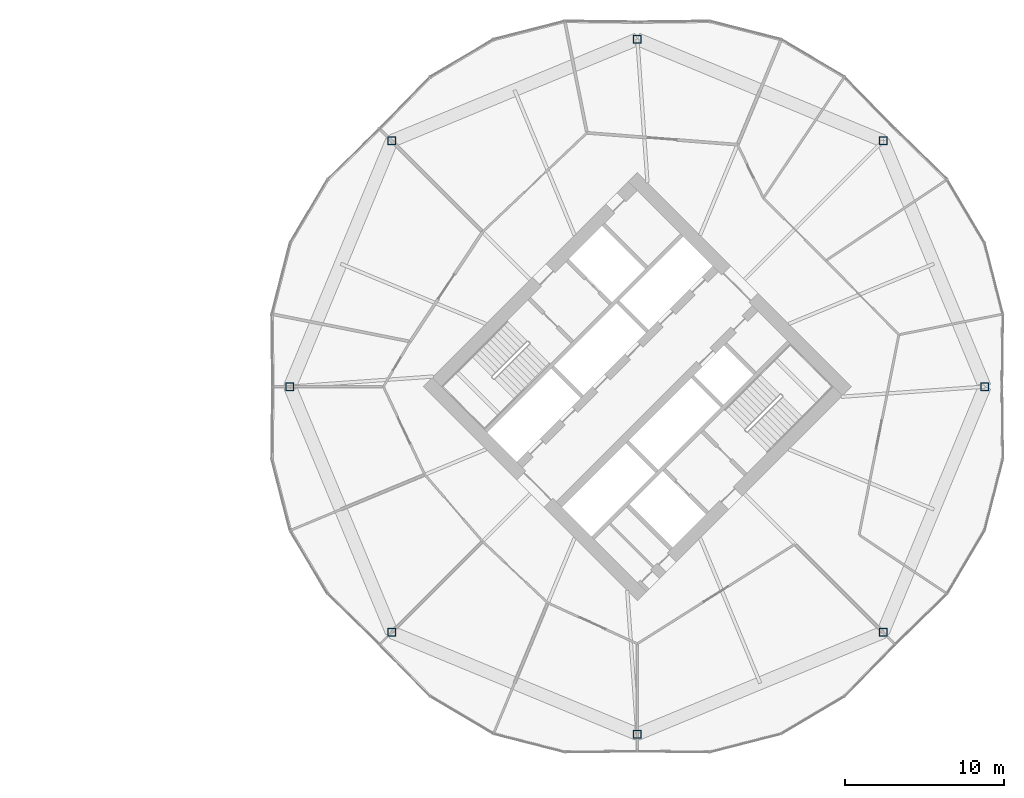
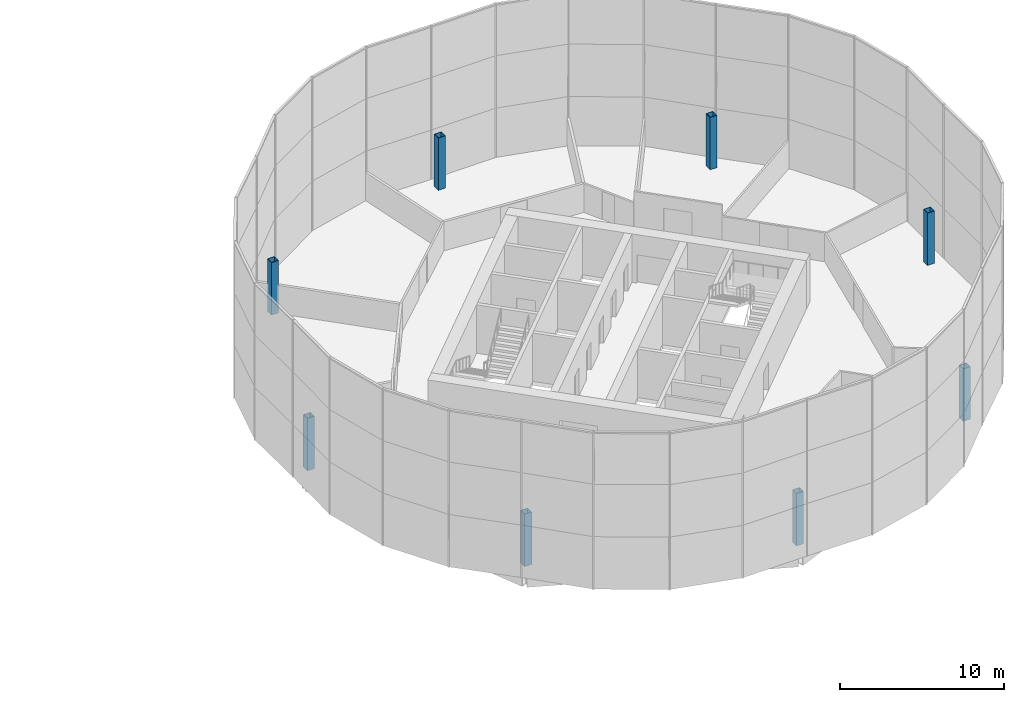
# One storey, part 2 of 25: 8 columns.
"""IFC4 building model written with IfcOpenShell, lengths in metres."""

from ifc_helpers import new_model, si_unit, direction, frame, origin, origin_2d, place, context, subcontext, project, spatial, hollow_rectangle, extrude, material, material_profile, profile_set, type_object, element, save


model = new_model("IFC4")

# Units and contexts
model_context = context("Model", 3, precision=1e-05, world=origin(), true_north=direction((0.0, 1.0)))
body_context = subcontext(model_context, "Body", "Model", "MODEL_VIEW")
ifc_project = project(units=[si_unit("LENGTHUNIT", "METRE"), si_unit("AREAUNIT", "SQUARE_METRE"), si_unit("VOLUMEUNIT", "CUBIC_METRE"), si_unit("PLANEANGLEUNIT", "RADIAN"), si_unit("MASSUNIT", "GRAM", prefix="KILO")], contexts=[model_context])

# Site, building, storey
site_placement = place(None, origin())
site = spatial("IfcSite", under=ifc_project, at=site_placement, CompositionType="ELEMENT")
building_placement = place(site_placement, origin())
building = spatial("IfcBuilding", under=site, at=building_placement, Name="Ogive Gate Towers", CompositionType="ELEMENT")
storey_placement = place(building_placement, frame((0.0, 0.0, 44.10009765625)))
storey = spatial("IfcBuildingStorey", under=building, at=storey_placement, Name="L09", CompositionType="ELEMENT", Elevation=44.10009765625)

# Columns
ifc_material = material(Name="Steel SM460", Category="steel")
ifc_material_profile = material_profile(ifc_material, hollow_rectangle(XDim=0.5, YDim=0.5, WallThickness=0.030029296875, at=origin_2d()), Name="BX 500x500x30")
ifc_profile_set = profile_set([ifc_material_profile], Name="Steel SM460")
column_type = type_object("IfcColumnType", Name="Perimeter post BX 500x500x30", PredefinedType="COLUMN", material=ifc_profile_set)
for number, where, z_axis, x_axis, name in (
    (1, (57.81005859375, 0.0, 0.0), (0.0, 0.0, 1.0), (1.0, 0.0, 0.0), "T2/L09/SCL001"),
    (2, (51.422119140625, 15.422119140625, 0.0), (0.0, 0.0, 1.0), (1.0, 0.0, 0.0), "T2/L09/SCL002"),
    (3, (36.0, 21.81005859375, 0.0), (0.0, 0.0, 1.0), (1.0, 0.0, 0.0), "T2/L09/SCL003"),
    (4, (20.577880859375, 15.422119140625, 0.0), (0.0, 0.0, 1.0), (1.0, 0.0, 0.0), "T2/L09/SCL004"),
    (5, (14.18994140625, 0.0, 0.0), (0.0, 0.0, 1.0), (1.0, 0.0, 0.0), "T2/L09/SCL005"),
    (6, (20.577880859375, -15.422119140625, 0.0), (0.0, 0.0, 1.0), (1.0, 0.0, 0.0), "T2/L09/SCL006"),
    (7, (36.0, -21.81005859375, 0.0), (0.0, 0.0, 1.0), (1.0, 0.0, 0.0), "T2/L09/SCL007"),
    (8, (51.422119140625, -15.422119140625, 0.0), (0.0, 0.0, 1.0), (1.0, 0.0, 0.0), "T2/L09/SCL008"),
):
    element("IfcColumn", number, at=place(storey_placement, frame(where, z_axis=z_axis, x_axis=x_axis)), inside=storey, type_object=column_type, Name=name, PredefinedType="COLUMN", context=body_context, shape_type="SweptSolid", body=[
        extrude(hollow_rectangle(XDim=0.5, YDim=0.5, WallThickness=0.030029296875, at=origin_2d()), origin(), (0.0, 0.0, 1.0), 3.89990234375),
    ])

save(model, "model.ifc")
